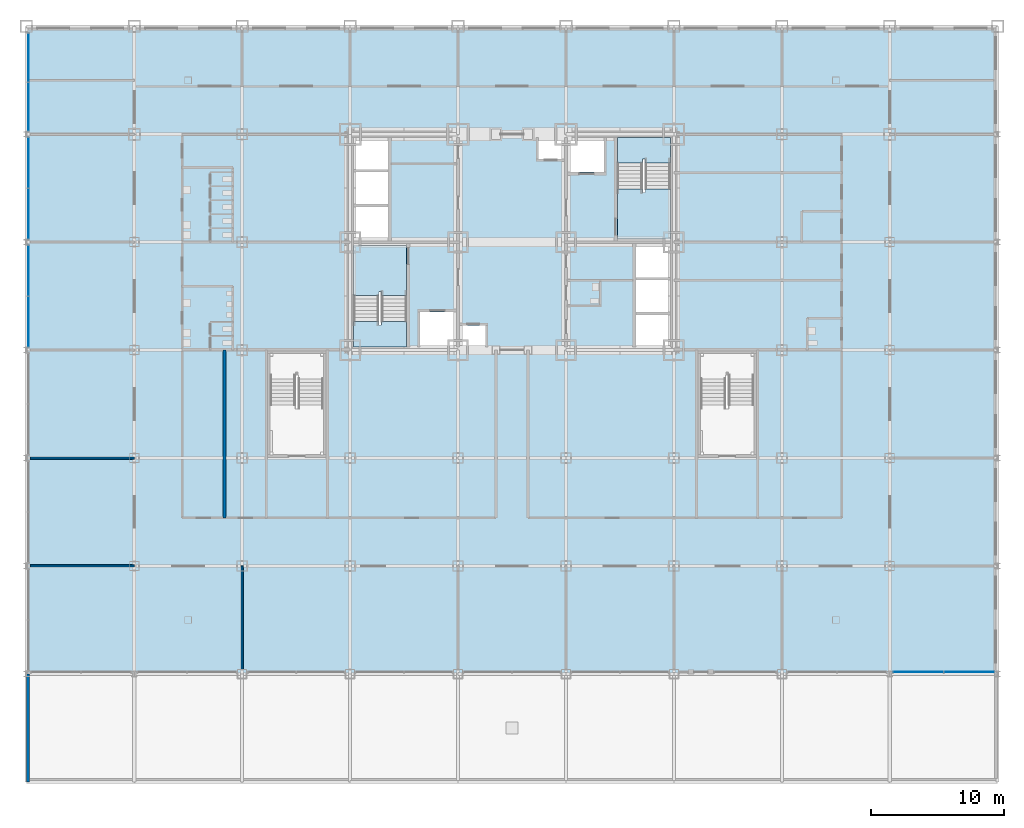
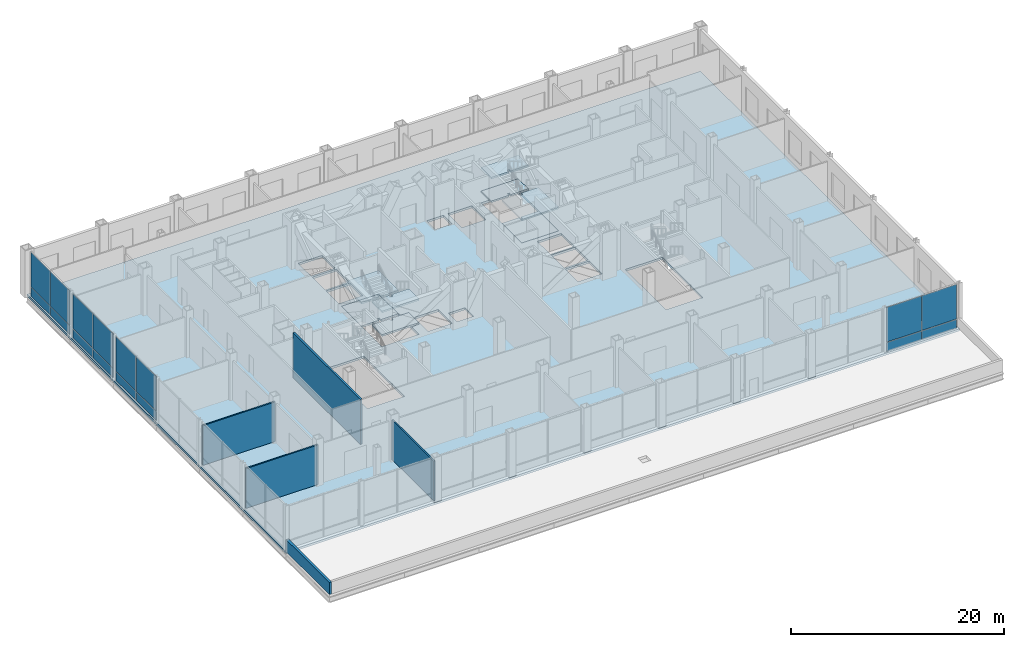
# One storey, part 20 of 29: 16 plates, 9 slabs, 5 walls, 6 elements without a shape of their own.
"""IFC4 building model written with IfcOpenShell, lengths in metres."""

from ifc_helpers import new_model, si_unit, direction, frame, frame_2d, origin, origin_2d, place, context, subcontext, project, spatial, polyline, rectangle, outline, extrude, material, layer, layer_set, type_object, element, aggregate, save


model = new_model("IFC4")

# Units and contexts
model_context = context("Model", 3, precision=1e-05, world=origin(), true_north=direction((0.0, 1.0)))
body_context = subcontext(model_context, "Body", "Model", "MODEL_VIEW")
ifc_project = project(units=[si_unit("LENGTHUNIT", "METRE"), si_unit("AREAUNIT", "SQUARE_METRE"), si_unit("VOLUMEUNIT", "CUBIC_METRE"), si_unit("PLANEANGLEUNIT", "RADIAN"), si_unit("MASSUNIT", "GRAM", prefix="KILO")], contexts=[model_context])

# Site, building, storey
site_placement = place(None, origin())
site = spatial("IfcSite", under=ifc_project, at=site_placement, CompositionType="ELEMENT")
building_placement = place(site_placement, origin())
building = spatial("IfcBuilding", under=site, at=building_placement, Name="Kopane Lantern Tower", CompositionType="ELEMENT")
storey_placement = place(building_placement, frame((0.0, 0.0, 11.39990234375)))
storey = spatial("IfcBuildingStorey", under=building, at=storey_placement, Name="L02", CompositionType="ELEMENT", Elevation=11.39990234375)

# Curtain wall, plates
ifc_material_1 = material(Name="Aluminium and clear glass", Category="aluminium")
curtain_wall_type = type_object("IfcCurtainWallType", Name="CURTAIN WALL CW2 PODIUM UPPER", PredefinedType="USERDEFINED", material=ifc_material_1)
curtain_wall_1_placement = place(storey_placement, origin())
curtain_wall_1 = element("IfcCurtainWall", 1, at=curtain_wall_1_placement, inside=storey, type_object=curtain_wall_type, Name="Curtain wall CW2 S L02", ObjectType="CURTAIN WALL", PredefinedType="USERDEFINED")
ifc_material_2 = material(Name="Insulated clear glass unit", Category="glass")
ifc_layer_1 = layer(ifc_material_2, 0.030029296875)
ifc_layer_set_1 = layer_set([ifc_layer_1], Name="CURTAIN PANEL CW2-P 30")
plate_type = type_object("IfcPlateType", Name="CURTAIN PANEL CW2-P 30", PredefinedType="CURTAIN_PANEL", material=ifc_layer_set_1)
plate_1_placement = place(storey_placement, frame((58.84326171875, 0.14990234375, 0.06005859375), z_axis=(0.0, 0.0, 1.0), x_axis=(1.0, 0.0, 0.0)))
plate_1 = element("IfcPlate", 2, at=plate_1_placement, type_object=plate_type, Name="CW2 panel 1.1", PredefinedType="CURTAIN_PANEL", context=body_context, shape_type="SweptSolid", body=[
    extrude(rectangle(XDim=3.75341796875, YDim=0.030029296875, at=origin_2d()), origin(), (0.0, 0.0, 1.0), 1.010009765625),
])
plate_2_placement = place(storey_placement, frame((58.84326171875, 0.14990234375, 1.130126953125), z_axis=(0.0, 0.0, 1.0), x_axis=(1.0, 0.0, 0.0)))
plate_2 = element("IfcPlate", 3, at=plate_2_placement, type_object=plate_type, Name="CW2 panel 1.2", PredefinedType="CURTAIN_PANEL", context=body_context, shape_type="SweptSolid", body=[
    extrude(rectangle(XDim=3.75341796875, YDim=0.030029296875, at=origin_2d()), origin(), (0.0, 0.0, 1.0), 3.9599609375),
])
plate_3_placement = place(storey_placement, frame((62.65673828125, 0.14990234375, 0.06005859375), z_axis=(0.0, 0.0, 1.0), x_axis=(1.0, 0.0, 0.0)))
plate_3 = element("IfcPlate", 4, at=plate_3_placement, type_object=plate_type, Name="CW2 panel 2.1", PredefinedType="CURTAIN_PANEL", context=body_context, shape_type="SweptSolid", body=[
    extrude(rectangle(XDim=3.75341796875, YDim=0.030029296875, at=origin_2d()), origin(), (0.0, 0.0, 1.0), 1.010009765625),
])
plate_4_placement = place(storey_placement, frame((62.65673828125, 0.14990234375, 1.130126953125), z_axis=(0.0, 0.0, 1.0), x_axis=(1.0, 0.0, 0.0)))
plate_4 = element("IfcPlate", 5, at=plate_4_placement, type_object=plate_type, Name="CW2 panel 2.2", PredefinedType="CURTAIN_PANEL", context=body_context, shape_type="SweptSolid", body=[
    extrude(rectangle(XDim=3.75341796875, YDim=0.030029296875, at=origin_2d()), origin(), (0.0, 0.0, 1.0), 3.9599609375),
])
aggregate(curtain_wall_1, [plate_1, plate_2, plate_3, plate_4])

curtain_wall_2_placement = place(storey_placement, origin())
curtain_wall_2 = element("IfcCurtainWall", 6, at=curtain_wall_2_placement, inside=storey, type_object=curtain_wall_type, Name="Curtain wall CW2 W L02", ObjectType="CURTAIN WALL", PredefinedType="USERDEFINED")
plate_5_placement = place(storey_placement, frame((-7.949951171875, 46.251953125, 0.06005859375), z_axis=(0.0, 0.0, 1.0), x_axis=(0.0, -1.0, 0.0)))
plate_5 = element("IfcPlate", 7, at=plate_5_placement, type_object=plate_type, Name="CW2 panel 1.1", PredefinedType="CURTAIN_PANEL", context=body_context, shape_type="SweptSolid", body=[
    extrude(rectangle(XDim=3.615966796875, YDim=0.030029296875, at=origin_2d()), origin(), (0.0, 0.0, 1.0), 1.010009765625),
])
plate_6_placement = place(storey_placement, frame((-7.949951171875, 46.251953125, 1.130126953125), z_axis=(0.0, 0.0, 1.0), x_axis=(0.0, -1.0, 0.0)))
plate_6 = element("IfcPlate", 8, at=plate_6_placement, type_object=plate_type, Name="CW2 panel 1.2", PredefinedType="CURTAIN_PANEL", context=body_context, shape_type="SweptSolid", body=[
    extrude(rectangle(XDim=3.615966796875, YDim=0.030029296875, at=origin_2d()), origin(), (0.0, 0.0, 1.0), 3.9599609375),
])
plate_7_placement = place(storey_placement, frame((-7.949951171875, 42.576171875, 0.06005859375), z_axis=(0.0, 0.0, 1.0), x_axis=(0.0, -1.0, 0.0)))
plate_7 = element("IfcPlate", 9, at=plate_7_placement, type_object=plate_type, Name="CW2 panel 2.1", PredefinedType="CURTAIN_PANEL", context=body_context, shape_type="SweptSolid", body=[
    extrude(rectangle(XDim=3.615966796875, YDim=0.030029296875, at=origin_2d()), origin(), (0.0, 0.0, 1.0), 1.010009765625),
])
plate_8_placement = place(storey_placement, frame((-7.949951171875, 42.576171875, 1.130126953125), z_axis=(0.0, 0.0, 1.0), x_axis=(0.0, -1.0, 0.0)))
plate_8 = element("IfcPlate", 10, at=plate_8_placement, type_object=plate_type, Name="CW2 panel 2.2", PredefinedType="CURTAIN_PANEL", context=body_context, shape_type="SweptSolid", body=[
    extrude(rectangle(XDim=3.615966796875, YDim=0.030029296875, at=origin_2d()), origin(), (0.0, 0.0, 1.0), 3.9599609375),
])
aggregate(curtain_wall_2, [plate_5, plate_6, plate_7, plate_8])

curtain_wall_3_placement = place(storey_placement, origin())
curtain_wall_3 = element("IfcCurtainWall", 11, at=curtain_wall_3_placement, inside=storey, type_object=curtain_wall_type, Name="Curtain wall CW2 W L02", ObjectType="CURTAIN WALL", PredefinedType="USERDEFINED")
plate_9_placement = place(storey_placement, frame((-7.949951171875, 38.35595703125, 0.06005859375), z_axis=(0.0, 0.0, 1.0), x_axis=(0.0, -1.0, 0.0)))
plate_9 = element("IfcPlate", 12, at=plate_9_placement, type_object=plate_type, Name="CW2 panel 1.1", PredefinedType="CURTAIN_PANEL", context=body_context, shape_type="SweptSolid", body=[
    extrude(rectangle(XDim=3.751708984375, YDim=0.030029296875, at=origin_2d()), origin(), (0.0, 0.0, 1.0), 1.010009765625),
])
plate_10_placement = place(storey_placement, frame((-7.949951171875, 38.35595703125, 1.130126953125), z_axis=(0.0, 0.0, 1.0), x_axis=(0.0, -1.0, 0.0)))
plate_10 = element("IfcPlate", 13, at=plate_10_placement, type_object=plate_type, Name="CW2 panel 1.2", PredefinedType="CURTAIN_PANEL", context=body_context, shape_type="SweptSolid", body=[
    extrude(rectangle(XDim=3.751708984375, YDim=0.030029296875, at=origin_2d()), origin(), (0.0, 0.0, 1.0), 3.9599609375),
])
plate_11_placement = place(storey_placement, frame((-7.949951171875, 34.544189453125, 0.06005859375), z_axis=(0.0, 0.0, 1.0), x_axis=(0.0, -1.0, 0.0)))
plate_11 = element("IfcPlate", 14, at=plate_11_placement, type_object=plate_type, Name="CW2 panel 2.1", PredefinedType="CURTAIN_PANEL", context=body_context, shape_type="SweptSolid", body=[
    extrude(rectangle(XDim=3.751708984375, YDim=0.030029296875, at=origin_2d()), origin(), (0.0, 0.0, 1.0), 1.010009765625),
])
plate_12_placement = place(storey_placement, frame((-7.949951171875, 34.544189453125, 1.130126953125), z_axis=(0.0, 0.0, 1.0), x_axis=(0.0, -1.0, 0.0)))
plate_12 = element("IfcPlate", 15, at=plate_12_placement, type_object=plate_type, Name="CW2 panel 2.2", PredefinedType="CURTAIN_PANEL", context=body_context, shape_type="SweptSolid", body=[
    extrude(rectangle(XDim=3.751708984375, YDim=0.030029296875, at=origin_2d()), origin(), (0.0, 0.0, 1.0), 3.9599609375),
])
aggregate(curtain_wall_3, [plate_9, plate_10, plate_11, plate_12])

curtain_wall_4_placement = place(storey_placement, origin())
curtain_wall_4 = element("IfcCurtainWall", 16, at=curtain_wall_4_placement, inside=storey, type_object=curtain_wall_type, Name="Curtain wall CW2 W L02", ObjectType="CURTAIN WALL", PredefinedType="USERDEFINED")
plate_13_placement = place(storey_placement, frame((-7.949951171875, 30.255859375, 0.06005859375), z_axis=(0.0, 0.0, 1.0), x_axis=(0.0, -1.0, 0.0)))
plate_13 = element("IfcPlate", 17, at=plate_13_placement, type_object=plate_type, Name="CW2 panel 1.1", PredefinedType="CURTAIN_PANEL", context=body_context, shape_type="SweptSolid", body=[
    extrude(rectangle(XDim=3.751708984375, YDim=0.030029296875, at=origin_2d()), origin(), (0.0, 0.0, 1.0), 1.010009765625),
])
plate_14_placement = place(storey_placement, frame((-7.949951171875, 30.255859375, 1.130126953125), z_axis=(0.0, 0.0, 1.0), x_axis=(0.0, -1.0, 0.0)))
plate_14 = element("IfcPlate", 18, at=plate_14_placement, type_object=plate_type, Name="CW2 panel 1.2", PredefinedType="CURTAIN_PANEL", context=body_context, shape_type="SweptSolid", body=[
    extrude(rectangle(XDim=3.751708984375, YDim=0.030029296875, at=origin_2d()), origin(), (0.0, 0.0, 1.0), 3.9599609375),
])
plate_15_placement = place(storey_placement, frame((-7.949951171875, 26.444091796875, 0.06005859375), z_axis=(0.0, 0.0, 1.0), x_axis=(0.0, -1.0, 0.0)))
plate_15 = element("IfcPlate", 19, at=plate_15_placement, type_object=plate_type, Name="CW2 panel 2.1", PredefinedType="CURTAIN_PANEL", context=body_context, shape_type="SweptSolid", body=[
    extrude(rectangle(XDim=3.751708984375, YDim=0.030029296875, at=origin_2d()), origin(), (0.0, 0.0, 1.0), 1.010009765625),
])
plate_16_placement = place(storey_placement, frame((-7.949951171875, 26.444091796875, 1.130126953125), z_axis=(0.0, 0.0, 1.0), x_axis=(0.0, -1.0, 0.0)))
plate_16 = element("IfcPlate", 20, at=plate_16_placement, type_object=plate_type, Name="CW2 panel 2.2", PredefinedType="CURTAIN_PANEL", context=body_context, shape_type="SweptSolid", body=[
    extrude(rectangle(XDim=3.751708984375, YDim=0.030029296875, at=origin_2d()), origin(), (0.0, 0.0, 1.0), 3.9599609375),
])
aggregate(curtain_wall_4, [plate_13, plate_14, plate_15, plate_16])

# Slab
ifc_material_3 = material(Name="Concrete C40/50", Category="concrete")
ifc_layer_2 = layer(ifc_material_3, 0.25)
ifc_layer_set_2 = layer_set([ifc_layer_2], Name="SLAB 250 COMPOSITE")
slab_type_1 = type_object("IfcSlabType", Name="SLAB 250 COMPOSITE", PredefinedType="FLOOR", material=ifc_layer_set_2)
slab_1_placement = place(storey_placement, frame((0.0, 0.0, -0.25)))
element("IfcSlab", 21, at=slab_1_placement, inside=storey, type_object=slab_type_1, Name="Floor slab L02", PredefinedType="FLOOR", context=body_context, shape_type="SweptSolid", body=[
    extrude(outline(polyline([(-8.10009765625, 0.0), (64.800048828125, 0.0), (64.800048828125, 48.60009765625), (-8.10009765625, 48.60009765625), (-8.10009765625, 0.0)]), holes=[polyline([(16.449951171875, 24.550048828125), (20.449951171875, 24.550048828125), (20.449951171875, 32.14990234375), (16.449951171875, 32.14990234375), (16.449951171875, 24.550048828125)]), polyline([(36.25, 32.64990234375), (40.25, 32.64990234375), (40.25, 40.25), (36.25, 40.25), (36.25, 32.64990234375)]), polyline([(16.449951171875, 32.64990234375), (19.050048828125, 32.64990234375), (19.050048828125, 35.050048828125), (16.449951171875, 35.050048828125), (16.449951171875, 32.64990234375)]), polyline([(16.449951171875, 35.25), (19.050048828125, 35.25), (19.050048828125, 37.64990234375), (16.449951171875, 37.64990234375), (16.449951171875, 35.25)]), polyline([(16.449951171875, 37.85009765625), (19.050048828125, 37.85009765625), (19.050048828125, 40.25), (16.449951171875, 40.25), (16.449951171875, 37.85009765625)]), polyline([(37.64990234375, 24.550048828125), (40.25, 24.550048828125), (40.25, 26.949951171875), (37.64990234375, 26.949951171875), (37.64990234375, 24.550048828125)]), polyline([(37.64990234375, 27.14990234375), (40.25, 27.14990234375), (40.25, 29.550048828125), (37.64990234375, 29.550048828125), (37.64990234375, 27.14990234375)]), polyline([(37.64990234375, 29.75), (40.25, 29.75), (40.25, 32.14990234375), (37.64990234375, 32.14990234375), (37.64990234375, 29.75)]), polyline([(21.449951171875, 24.550048828125), (24.050048828125, 24.550048828125), (24.050048828125, 27.14990234375), (21.449951171875, 27.14990234375), (21.449951171875, 24.550048828125)]), polyline([(32.64990234375, 37.64990234375), (35.25, 37.64990234375), (35.25, 40.25), (32.64990234375, 40.25), (32.64990234375, 37.64990234375)]), polyline([(24.550048828125, 24.550048828125), (26.35009765625, 24.550048828125), (26.35009765625, 26.14990234375), (24.550048828125, 26.14990234375), (24.550048828125, 24.550048828125)]), polyline([(30.35009765625, 38.64990234375), (32.14990234375, 38.64990234375), (32.14990234375, 40.25), (30.35009765625, 40.25), (30.35009765625, 38.64990234375)]), polyline([(10.199951171875, 16.449951171875), (14.199951171875, 16.449951171875), (14.199951171875, 24.050048828125), (10.199951171875, 24.050048828125), (10.199951171875, 16.449951171875)]), polyline([(42.5, 16.449951171875), (46.5, 16.449951171875), (46.5, 24.050048828125), (42.5, 24.050048828125), (42.5, 16.449951171875)])]), origin(), (0.0, 0.0, 1.0), 0.25),
])

# Stair, slabs
ifc_material_4 = material(Name="Steel S355JR", Category="steel")
stair_type = type_object("IfcStairType", Name="EXIT STAIR 1900 HALF TURN", PredefinedType="HALF_TURN_STAIR", material=ifc_material_4)
stair_1_placement = place(storey_placement, origin())
stair_1 = element("IfcStair", 22, at=stair_1_placement, inside=storey, type_object=stair_type, Name="Exit stair ST1 L02", PredefinedType="HALF_TURN_STAIR")
ifc_material_5 = material(Name="Concrete C40/50", Category="concrete")
ifc_layer_3 = layer(ifc_material_5, 0.199951171875)
ifc_layer_set_3 = layer_set([ifc_layer_3], Name="STAIR LANDING 200")
slab_type_2 = type_object("IfcSlabType", Name="STAIR LANDING 200", PredefinedType="LANDING", material=ifc_layer_set_3)
slab_2_placement = place(storey_placement, frame((0.0, 0.0, -0.199951171875)))
slab_2 = element("IfcSlab", 23, at=slab_2_placement, type_object=slab_type_2, Name="ST1 landing 1", PredefinedType="LANDING", context=body_context, shape_type="SweptSolid", body=[
    extrude(outline(polyline([(18.35009765625, 28.68994140625), (18.550048828125, 28.68994140625), (18.550048828125, 28.409912109375), (20.449951171875, 28.409912109375), (20.449951171875, 32.14990234375), (16.449951171875, 32.14990234375), (16.449951171875, 28.409912109375), (18.35009765625, 28.409912109375), (18.35009765625, 28.68994140625)])), origin(), (0.0, 0.0, 1.0), 0.199951171875),
])
slab_3_placement = place(storey_placement, frame((0.0, 0.0, 1.150146484375)))
slab_3 = element("IfcSlab", 24, at=slab_3_placement, type_object=slab_type_2, Name="ST1 landing 2", PredefinedType="LANDING", context=body_context, shape_type="SweptSolid", body=[
    extrude(outline(polyline([(20.449951171875, 26.449951171875), (18.550048828125, 26.449951171875), (18.550048828125, 26.169921875), (18.35009765625, 26.169921875), (18.35009765625, 26.449951171875), (16.449951171875, 26.449951171875), (16.449951171875, 24.550048828125), (20.449951171875, 24.550048828125), (20.449951171875, 26.449951171875)])), origin(), (0.0, 0.0, 1.0), 0.199951171875),
])
slab_4_placement = place(storey_placement, frame((0.0, 0.0, 2.5)))
slab_4 = element("IfcSlab", 25, at=slab_4_placement, type_object=slab_type_2, Name="ST1 landing 3", PredefinedType="LANDING", context=body_context, shape_type="SweptSolid", body=[
    extrude(outline(polyline([(18.35009765625, 28.68994140625), (18.550048828125, 28.68994140625), (18.550048828125, 28.409912109375), (20.449951171875, 28.409912109375), (20.449951171875, 32.14990234375), (16.449951171875, 32.14990234375), (16.449951171875, 28.409912109375), (18.35009765625, 28.409912109375), (18.35009765625, 28.68994140625)])), origin(), (0.0, 0.0, 1.0), 0.2001953125),
])
slab_5_placement = place(storey_placement, frame((0.0, 0.0, 3.85009765625)))
slab_5 = element("IfcSlab", 26, at=slab_5_placement, type_object=slab_type_2, Name="ST1 landing 4", PredefinedType="LANDING", context=body_context, shape_type="SweptSolid", body=[
    extrude(outline(polyline([(20.449951171875, 26.449951171875), (18.550048828125, 26.449951171875), (18.550048828125, 26.169921875), (18.35009765625, 26.169921875), (18.35009765625, 26.449951171875), (16.449951171875, 26.449951171875), (16.449951171875, 24.550048828125), (20.449951171875, 24.550048828125), (20.449951171875, 26.449951171875)])), origin(), (0.0, 0.0, 1.0), 0.199951171875),
])
aggregate(stair_1, [slab_2, slab_3, slab_4, slab_5])

stair_2_placement = place(storey_placement, origin())
stair_2 = element("IfcStair", 27, at=stair_2_placement, inside=storey, type_object=stair_type, Name="Exit stair ST2 L02", PredefinedType="HALF_TURN_STAIR")
slab_6_placement = place(storey_placement, frame((0.0, 0.0, -0.199951171875)))
slab_6 = element("IfcSlab", 28, at=slab_6_placement, type_object=slab_type_2, Name="ST2 landing 1", PredefinedType="LANDING", context=body_context, shape_type="SweptSolid", body=[
    extrude(outline(polyline([(40.25, 36.389892578125), (38.35009765625, 36.389892578125), (38.35009765625, 36.110107421875), (38.14990234375, 36.110107421875), (38.14990234375, 36.389892578125), (36.25, 36.389892578125), (36.25, 32.64990234375), (40.25, 32.64990234375), (40.25, 36.389892578125)])), origin(), (0.0, 0.0, 1.0), 0.199951171875),
])
slab_7_placement = place(storey_placement, frame((0.0, 0.0, 1.150146484375)))
slab_7 = element("IfcSlab", 29, at=slab_7_placement, type_object=slab_type_2, Name="ST2 landing 2", PredefinedType="LANDING", context=body_context, shape_type="SweptSolid", body=[
    extrude(outline(polyline([(38.14990234375, 38.6298828125), (38.35009765625, 38.6298828125), (38.35009765625, 38.35009765625), (40.25, 38.35009765625), (40.25, 40.25), (36.25, 40.25), (36.25, 38.35009765625), (38.14990234375, 38.35009765625), (38.14990234375, 38.6298828125)])), origin(), (0.0, 0.0, 1.0), 0.199951171875),
])
slab_8_placement = place(storey_placement, frame((0.0, 0.0, 2.5)))
slab_8 = element("IfcSlab", 30, at=slab_8_placement, type_object=slab_type_2, Name="ST2 landing 3", PredefinedType="LANDING", context=body_context, shape_type="SweptSolid", body=[
    extrude(outline(polyline([(40.25, 36.389892578125), (38.35009765625, 36.389892578125), (38.35009765625, 36.110107421875), (38.14990234375, 36.110107421875), (38.14990234375, 36.389892578125), (36.25, 36.389892578125), (36.25, 32.64990234375), (40.25, 32.64990234375), (40.25, 36.389892578125)])), origin(), (0.0, 0.0, 1.0), 0.2001953125),
])
slab_9_placement = place(storey_placement, frame((0.0, 0.0, 3.85009765625)))
slab_9 = element("IfcSlab", 31, at=slab_9_placement, type_object=slab_type_2, Name="ST2 landing 4", PredefinedType="LANDING", context=body_context, shape_type="SweptSolid", body=[
    extrude(outline(polyline([(38.14990234375, 38.6298828125), (38.35009765625, 38.6298828125), (38.35009765625, 38.35009765625), (40.25, 38.35009765625), (40.25, 40.25), (36.25, 40.25), (36.25, 38.35009765625), (38.14990234375, 38.35009765625), (38.14990234375, 38.6298828125)])), origin(), (0.0, 0.0, 1.0), 0.199951171875),
])
aggregate(stair_2, [slab_6, slab_7, slab_8, slab_9])

# Walls
ifc_material_6 = material(Name="Gypsum board on steel studs", Category="steel")
ifc_layer_4 = layer(ifc_material_6, 0.14990234375)
ifc_layer_set_4 = layer_set([ifc_layer_4], Name="DEMISING WALL 150 EI 60")
wall_type_1 = type_object("IfcWallType", Name="DEMISING WALL 150 EI 60", PredefinedType="PARTITIONING", material=ifc_layer_set_4)
for number, where, z_axis, x_axis, name in (
    (32, (0.0, 16.199951171875, 0.0), (0.0, 0.0, 1.0), (-1.0, 0.0, 0.0), "Demising Wall 150 Ei 60 L02"),
    (33, (-7.800048828125, 8.10009765625, 0.0), (0.0, 0.0, 1.0), (1.0, 0.0, 0.0), "Demising Wall 150 Ei 60 L02"),
    (34, (8.10009765625, 8.10009765625, 0.0), (0.0, 0.0, 1.0), (0.0, -1.0, 0.0), "Demising Wall 150 Ei 60 L02"),
):
    element("IfcWall", number, at=place(storey_placement, frame(where, z_axis=z_axis, x_axis=x_axis)), inside=storey, type_object=wall_type_1, Name=name, PredefinedType="PARTITIONING", context=body_context, shape_type="SweptSolid", body=[
        extrude(rectangle(XDim=7.800048828125, YDim=0.14990234375, at=frame_2d((3.89990234375, 0.0))), origin(), (0.0, 0.0, 1.0), 4.537841796875),
    ])
ifc_material_7 = material(Name="Terracotta rainscreen on light steel framing", Category="masonry")
ifc_layer_5 = layer(ifc_material_7, 0.25)
ifc_layer_set_5 = layer_set([ifc_layer_5], Name="PARAPET PW1 250 TERRACOTTA")
wall_type_2 = type_object("IfcWallType", Name="PARAPET PW1 250 TERRACOTTA", PredefinedType="PARAPET", material=ifc_layer_set_5)
wall_1_placement = place(storey_placement, frame((-7.97509765625, 0.0, 0.0), z_axis=(0.0, 0.0, 1.0), x_axis=(0.0, -1.0, 0.0)))
element("IfcWall", 35, at=wall_1_placement, inside=storey, type_object=wall_type_2, Name="Parapet L02", PredefinedType="PARAPET", context=body_context, shape_type="SweptSolid", body=[
    extrude(rectangle(XDim=8.10009765625, YDim=0.25, at=frame_2d((4.050048828125, 0.0))), origin(), (0.0, 0.0, 1.0), 1.380126953125),
])
ifc_material_8 = material(Name="Concrete masonry", Category="masonry")
ifc_layer_6 = layer(ifc_material_8, 0.199951171875)
ifc_layer_set_6 = layer_set([ifc_layer_6], Name="PLANT ROOM WALL 200 EI 120")
wall_type_3 = type_object("IfcWallType", Name="PLANT ROOM WALL 200 EI 120", PredefinedType="SOLIDWALL", material=ifc_layer_set_6)
wall_2_placement = place(storey_placement, frame((6.774658203125, 11.699951171875, 0.0), z_axis=(0.0, 0.0, 1.0), x_axis=(0.0, 1.0, 0.0)))
element("IfcWall", 36, at=wall_2_placement, inside=storey, type_object=wall_type_3, Name="Plant Room Wall 200 Ei 120 L02", PredefinedType="SOLIDWALL", context=body_context, shape_type="SweptSolid", body=[
    extrude(rectangle(XDim=12.60009765625, YDim=0.199951171875, at=frame_2d((6.300048828125, 0.0))), origin(), (0.0, 0.0, 1.0), 5.150146484375),
])

save(model, "model.ifc")
